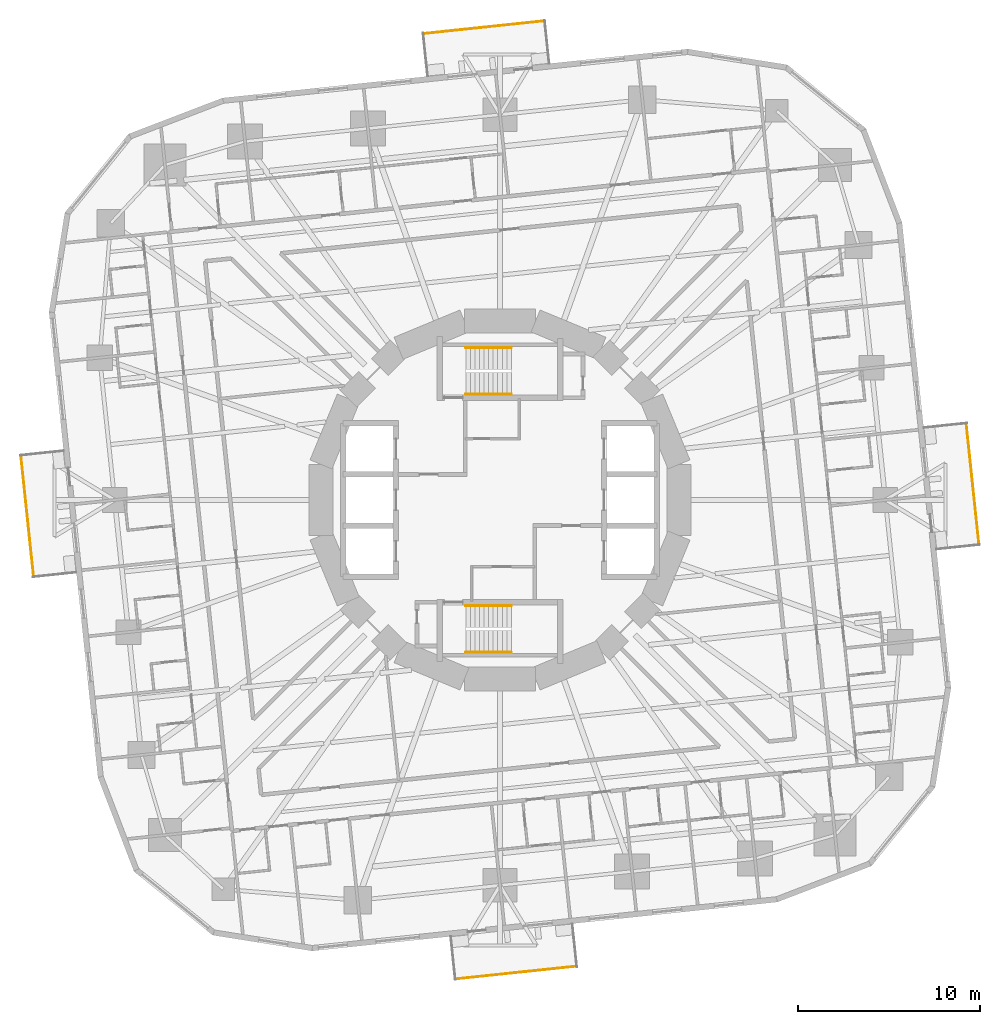
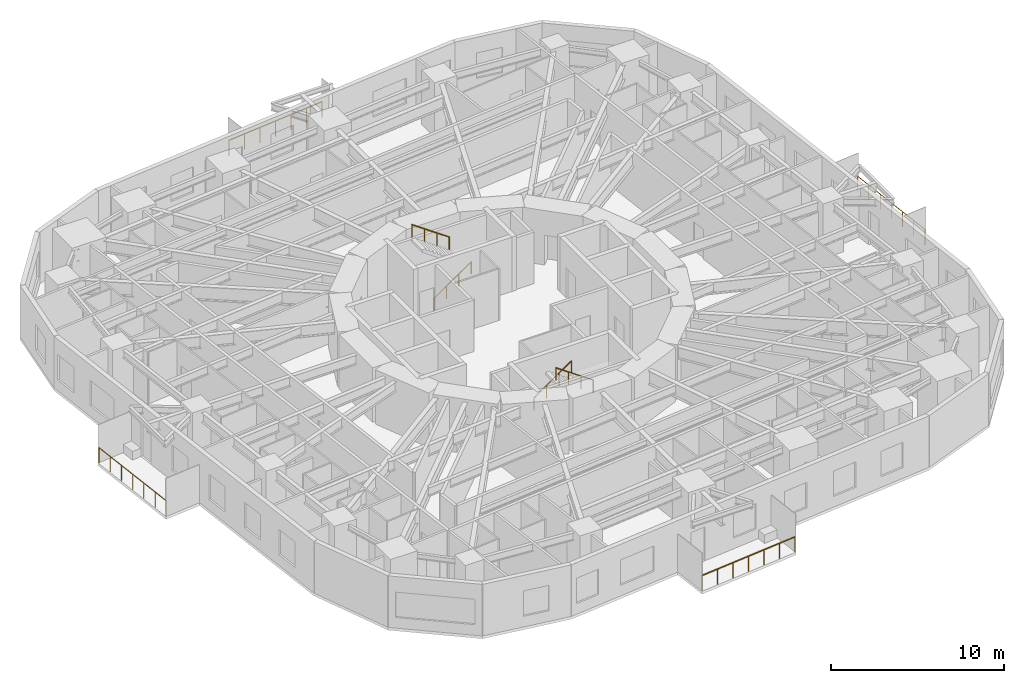
# One storey, part 13 of 14: 8 railings.
"""IFC4 building model written with IfcOpenShell, lengths in metres."""

from ifc_helpers import new_model, si_unit, direction, frame, origin, origin_2d, place, context, subcontext, project, spatial, circle, extrude, material, type_object, element, save


model = new_model("IFC4")

# Units and contexts
model_context = context("Model", 3, precision=1e-05, world=origin(), true_north=direction((0.0, 1.0)))
body_context = subcontext(model_context, "Body", "Model", "MODEL_VIEW")
ifc_project = project(units=[si_unit("LENGTHUNIT", "METRE"), si_unit("AREAUNIT", "SQUARE_METRE"), si_unit("VOLUMEUNIT", "CUBIC_METRE"), si_unit("PLANEANGLEUNIT", "RADIAN"), si_unit("MASSUNIT", "GRAM", prefix="KILO")], contexts=[model_context])

# Site, building, storey
site_placement = place(None, origin())
site = spatial("IfcSite", under=ifc_project, at=site_placement, CompositionType="ELEMENT")
building_placement = place(site_placement, origin())
building = spatial("IfcBuilding", under=site, at=building_placement, Name="Nakasero Lantern House", CompositionType="ELEMENT")
storey_placement = place(building_placement, frame((0.0, 0.0, 87.449951171875)))
storey = spatial("IfcBuildingStorey", under=building, at=storey_placement, Name="L21", CompositionType="ELEMENT", Elevation=87.449951171875)

# Railings
ifc_material_1 = material(Name="Aluminium 6063-T6", Category="aluminium")
railing_type_1 = type_object("IfcRailingType", Name="Balcony guard 1100", PredefinedType="BALUSTRADE", material=ifc_material_1)
railing_1_placement = place(storey_placement, frame((26.247802734375, -2.4296875, 0.0)))
element("IfcRailing", 1, at=railing_1_placement, inside=storey, type_object=railing_type_1, Name="Balcony guard L21 BAL0", PredefinedType="BALUSTRADE", context=body_context, shape_type="SweptSolid", body=[
    extrude(circle(Radius=0.02392578125, at=origin_2d()), frame((0.0, 0.0, 1.076171875), z_axis=(-0.104541525597, 0.994520522375, 0.0), x_axis=(-0.994520522375, -0.104541525597, 0.0)), (0.0, 0.0, 1.0), 6.6533203125),
    extrude(circle(Radius=0.02099609375, at=origin_2d()), origin(), (0.0, 0.0, 1.0), 1.052001953125),
    extrude(circle(Radius=0.02099609375, at=origin_2d()), frame((-0.115966796875, 1.102783203125, 0.0)), (0.0, 0.0, 1.0), 1.052001953125),
    extrude(circle(Radius=0.02099609375, at=origin_2d()), frame((-0.23193359375, 2.20556640625, 0.0)), (0.0, 0.0, 1.0), 1.052001953125),
    extrude(circle(Radius=0.02099609375, at=origin_2d()), frame((-0.34765625, 3.30859375, 0.0)), (0.0, 0.0, 1.0), 1.052001953125),
    extrude(circle(Radius=0.02099609375, at=origin_2d()), frame((-0.463623046875, 4.411376953125, 0.0)), (0.0, 0.0, 1.0), 1.052001953125),
    extrude(circle(Radius=0.02099609375, at=origin_2d()), frame((-0.57958984375, 5.51416015625, 0.0)), (0.0, 0.0, 1.0), 1.052001953125),
    extrude(circle(Radius=0.02099609375, at=origin_2d()), frame((-0.695556640625, 6.616943359375, 0.0)), (0.0, 0.0, 1.0), 1.052001953125),
])
railing_2_placement = place(storey_placement, frame((2.4296875, 26.247802734375, 0.0)))
element("IfcRailing", 2, at=railing_2_placement, inside=storey, type_object=railing_type_1, Name="Balcony guard L21 BAL1", PredefinedType="BALUSTRADE", context=body_context, shape_type="SweptSolid", body=[
    extrude(circle(Radius=0.02392578125, at=origin_2d()), frame((0.0, 0.0, 1.076171875), z_axis=(-0.994520522375, -0.104541525597, 0.0), x_axis=(0.104541525597, -0.994520522375, 0.0)), (0.0, 0.0, 1.0), 6.6533203125),
    extrude(circle(Radius=0.02099609375, at=origin_2d()), origin(), (0.0, 0.0, 1.0), 1.052001953125),
    extrude(circle(Radius=0.02099609375, at=origin_2d()), frame((-1.102783203125, -0.115966796875, 0.0)), (0.0, 0.0, 1.0), 1.052001953125),
    extrude(circle(Radius=0.02099609375, at=origin_2d()), frame((-2.20556640625, -0.23193359375, 0.0)), (0.0, 0.0, 1.0), 1.052001953125),
    extrude(circle(Radius=0.02099609375, at=origin_2d()), frame((-3.30859375, -0.34765625, 0.0)), (0.0, 0.0, 1.0), 1.052001953125),
    extrude(circle(Radius=0.02099609375, at=origin_2d()), frame((-4.411376953125, -0.463623046875, 0.0)), (0.0, 0.0, 1.0), 1.052001953125),
    extrude(circle(Radius=0.02099609375, at=origin_2d()), frame((-5.51416015625, -0.57958984375, 0.0)), (0.0, 0.0, 1.0), 1.052001953125),
    extrude(circle(Radius=0.02099609375, at=origin_2d()), frame((-6.616943359375, -0.695556640625, 0.0)), (0.0, 0.0, 1.0), 1.052001953125),
])
railing_3_placement = place(storey_placement, frame((-26.247802734375, 2.4296875, 0.0)))
element("IfcRailing", 3, at=railing_3_placement, inside=storey, type_object=railing_type_1, Name="Balcony guard L21 BAL2", PredefinedType="BALUSTRADE", context=body_context, shape_type="SweptSolid", body=[
    extrude(circle(Radius=0.02392578125, at=origin_2d()), frame((0.0, 0.0, 1.076171875), z_axis=(0.104541525597, -0.994520522375, 0.0), x_axis=(0.994520522375, 0.104541525597, 0.0)), (0.0, 0.0, 1.0), 6.6533203125),
    extrude(circle(Radius=0.02099609375, at=origin_2d()), origin(), (0.0, 0.0, 1.0), 1.052001953125),
    extrude(circle(Radius=0.02099609375, at=origin_2d()), frame((0.115966796875, -1.102783203125, 0.0)), (0.0, 0.0, 1.0), 1.052001953125),
    extrude(circle(Radius=0.02099609375, at=origin_2d()), frame((0.23193359375, -2.20556640625, 0.0)), (0.0, 0.0, 1.0), 1.052001953125),
    extrude(circle(Radius=0.02099609375, at=origin_2d()), frame((0.34765625, -3.30859375, 0.0)), (0.0, 0.0, 1.0), 1.052001953125),
    extrude(circle(Radius=0.02099609375, at=origin_2d()), frame((0.463623046875, -4.411376953125, 0.0)), (0.0, 0.0, 1.0), 1.052001953125),
    extrude(circle(Radius=0.02099609375, at=origin_2d()), frame((0.57958984375, -5.51416015625, 0.0)), (0.0, 0.0, 1.0), 1.052001953125),
    extrude(circle(Radius=0.02099609375, at=origin_2d()), frame((0.695556640625, -6.616943359375, 0.0)), (0.0, 0.0, 1.0), 1.052001953125),
])
railing_4_placement = place(storey_placement, frame((-2.4296875, -26.247802734375, 0.0)))
element("IfcRailing", 4, at=railing_4_placement, inside=storey, type_object=railing_type_1, Name="Balcony guard L21 BAL3", PredefinedType="BALUSTRADE", context=body_context, shape_type="SweptSolid", body=[
    extrude(circle(Radius=0.02392578125, at=origin_2d()), frame((0.0, 0.0, 1.076171875), z_axis=(0.994520522375, 0.104541525597, 0.0), x_axis=(-0.104541525597, 0.994520522375, 0.0)), (0.0, 0.0, 1.0), 6.6533203125),
    extrude(circle(Radius=0.02099609375, at=origin_2d()), origin(), (0.0, 0.0, 1.0), 1.052001953125),
    extrude(circle(Radius=0.02099609375, at=origin_2d()), frame((1.102783203125, 0.115966796875, 0.0)), (0.0, 0.0, 1.0), 1.052001953125),
    extrude(circle(Radius=0.02099609375, at=origin_2d()), frame((2.20556640625, 0.23193359375, 0.0)), (0.0, 0.0, 1.0), 1.052001953125),
    extrude(circle(Radius=0.02099609375, at=origin_2d()), frame((3.30859375, 0.34765625, 0.0)), (0.0, 0.0, 1.0), 1.052001953125),
    extrude(circle(Radius=0.02099609375, at=origin_2d()), frame((4.411376953125, 0.463623046875, 0.0)), (0.0, 0.0, 1.0), 1.052001953125),
    extrude(circle(Radius=0.02099609375, at=origin_2d()), frame((5.51416015625, 0.57958984375, 0.0)), (0.0, 0.0, 1.0), 1.052001953125),
    extrude(circle(Radius=0.02099609375, at=origin_2d()), frame((6.616943359375, 0.695556640625, 0.0)), (0.0, 0.0, 1.0), 1.052001953125),
])
ifc_material_2 = material(Name="Stainless steel 316", Category="steel")
railing_type_2 = type_object("IfcRailingType", Name="Stair handrail 900", PredefinedType="HANDRAIL", material=ifc_material_2)
railing_5_placement = place(storey_placement, frame((-1.875, 5.800048828125, 0.175048828125)))
element("IfcRailing", 5, at=railing_5_placement, inside=storey, type_object=railing_type_2, Name="Handrail ST1 L21 flight 1", PredefinedType="HANDRAIL", context=body_context, shape_type="SweptSolid", body=[
    extrude(circle(Radius=0.02392578125, at=origin_2d()), frame((0.0, 0.0, 0.8759765625), z_axis=(0.819231920519, 0.0, 0.573462344363), x_axis=(0.0, 1.0, 0.0)), (0.0, 0.0, 1.0), 3.0517578125),
    extrude(circle(Radius=0.02099609375, at=origin_2d()), origin(), (0.0, 0.0, 1.0), 0.851806640625),
    extrude(circle(Radius=0.02099609375, at=origin_2d()), frame((0.833251953125, 0.0, 0.583251953125)), (0.0, 0.0, 1.0), 0.851806640625),
    extrude(circle(Radius=0.02099609375, at=origin_2d()), frame((1.666748046875, 0.0, 1.166748046875)), (0.0, 0.0, 1.0), 0.851806640625),
    extrude(circle(Radius=0.02099609375, at=origin_2d()), frame((2.5, 0.0, 1.75)), (0.0, 0.0, 1.0), 0.851806640625),
])
railing_6_placement = place(storey_placement, frame((0.625, 8.35009765625, 2.10009765625)))
element("IfcRailing", 6, at=railing_6_placement, inside=storey, type_object=railing_type_2, Name="Handrail ST1 L21 flight 2", PredefinedType="HANDRAIL", context=body_context, shape_type="SweptSolid", body=[
    extrude(circle(Radius=0.02392578125, at=origin_2d()), frame((0.0, 0.0, 0.8759765625), z_axis=(-0.819231920519, 0.0, 0.573462344363), x_axis=(0.0, -1.0, 0.0)), (0.0, 0.0, 1.0), 3.0517578125),
    extrude(circle(Radius=0.02099609375, at=origin_2d()), origin(), (0.0, 0.0, 1.0), 0.851806640625),
    extrude(circle(Radius=0.02099609375, at=origin_2d()), frame((-0.833251953125, 0.0, 0.583251953125)), (0.0, 0.0, 1.0), 0.851806640625),
    extrude(circle(Radius=0.02099609375, at=origin_2d()), frame((-1.666748046875, 0.0, 1.166748046875)), (0.0, 0.0, 1.0), 0.851806640625),
    extrude(circle(Radius=0.02099609375, at=origin_2d()), frame((-2.5, 0.0, 1.75)), (0.0, 0.0, 1.0), 0.851806640625),
])
railing_7_placement = place(storey_placement, frame((-1.875, -5.800048828125, 0.175048828125)))
element("IfcRailing", 7, at=railing_7_placement, inside=storey, type_object=railing_type_2, Name="Handrail ST2 L21 flight 1", PredefinedType="HANDRAIL", context=body_context, shape_type="SweptSolid", body=[
    extrude(circle(Radius=0.02392578125, at=origin_2d()), frame((0.0, 0.0, 0.8759765625), z_axis=(0.819231920519, 0.0, 0.573462344363), x_axis=(0.0, 1.0, 0.0)), (0.0, 0.0, 1.0), 3.0517578125),
    extrude(circle(Radius=0.02099609375, at=origin_2d()), origin(), (0.0, 0.0, 1.0), 0.851806640625),
    extrude(circle(Radius=0.02099609375, at=origin_2d()), frame((0.833251953125, 0.0, 0.583251953125)), (0.0, 0.0, 1.0), 0.851806640625),
    extrude(circle(Radius=0.02099609375, at=origin_2d()), frame((1.666748046875, 0.0, 1.166748046875)), (0.0, 0.0, 1.0), 0.851806640625),
    extrude(circle(Radius=0.02099609375, at=origin_2d()), frame((2.5, 0.0, 1.75)), (0.0, 0.0, 1.0), 0.851806640625),
])
railing_8_placement = place(storey_placement, frame((0.625, -8.35009765625, 2.10009765625)))
element("IfcRailing", 8, at=railing_8_placement, inside=storey, type_object=railing_type_2, Name="Handrail ST2 L21 flight 2", PredefinedType="HANDRAIL", context=body_context, shape_type="SweptSolid", body=[
    extrude(circle(Radius=0.02392578125, at=origin_2d()), frame((0.0, 0.0, 0.8759765625), z_axis=(-0.819231920519, 0.0, 0.573462344363), x_axis=(0.0, -1.0, 0.0)), (0.0, 0.0, 1.0), 3.0517578125),
    extrude(circle(Radius=0.02099609375, at=origin_2d()), origin(), (0.0, 0.0, 1.0), 0.851806640625),
    extrude(circle(Radius=0.02099609375, at=origin_2d()), frame((-0.833251953125, 0.0, 0.583251953125)), (0.0, 0.0, 1.0), 0.851806640625),
    extrude(circle(Radius=0.02099609375, at=origin_2d()), frame((-1.666748046875, 0.0, 1.166748046875)), (0.0, 0.0, 1.0), 0.851806640625),
    extrude(circle(Radius=0.02099609375, at=origin_2d()), frame((-2.5, 0.0, 1.75)), (0.0, 0.0, 1.0), 0.851806640625),
])

save(model, "model.ifc")
